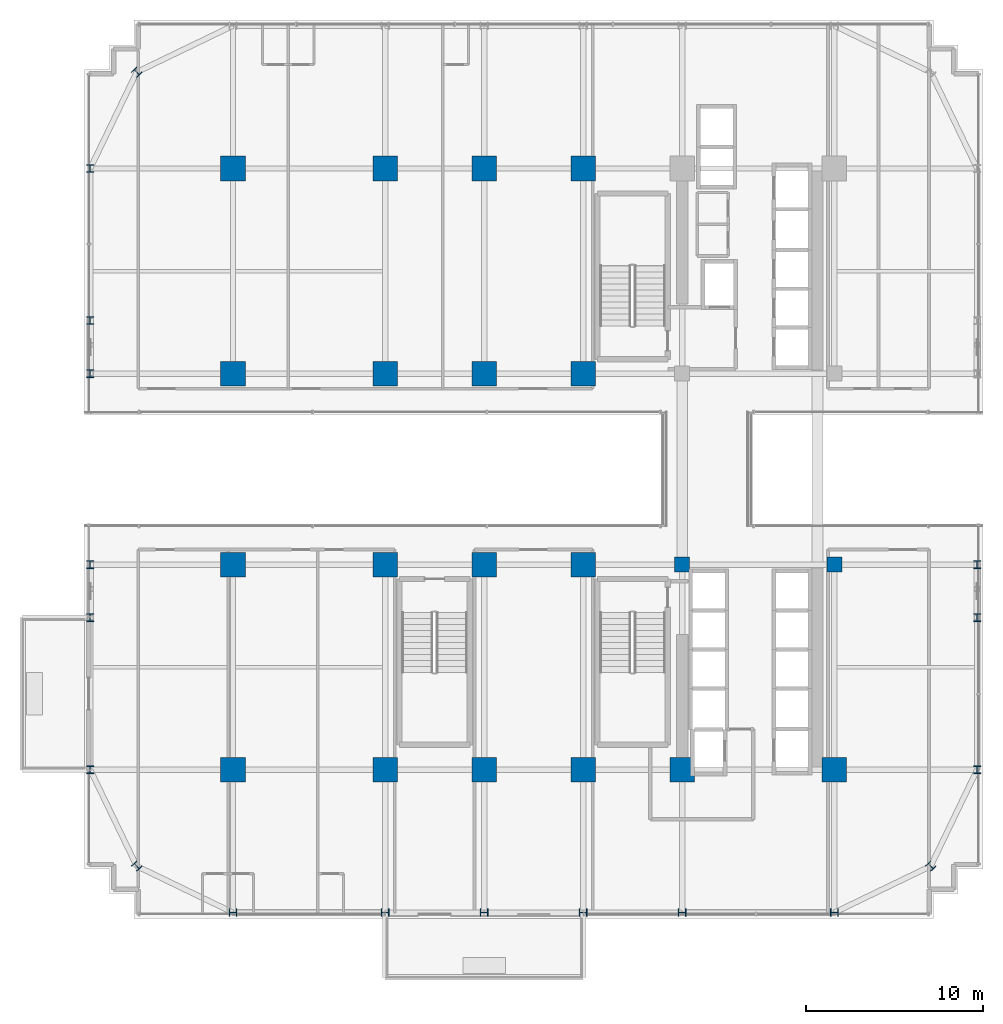
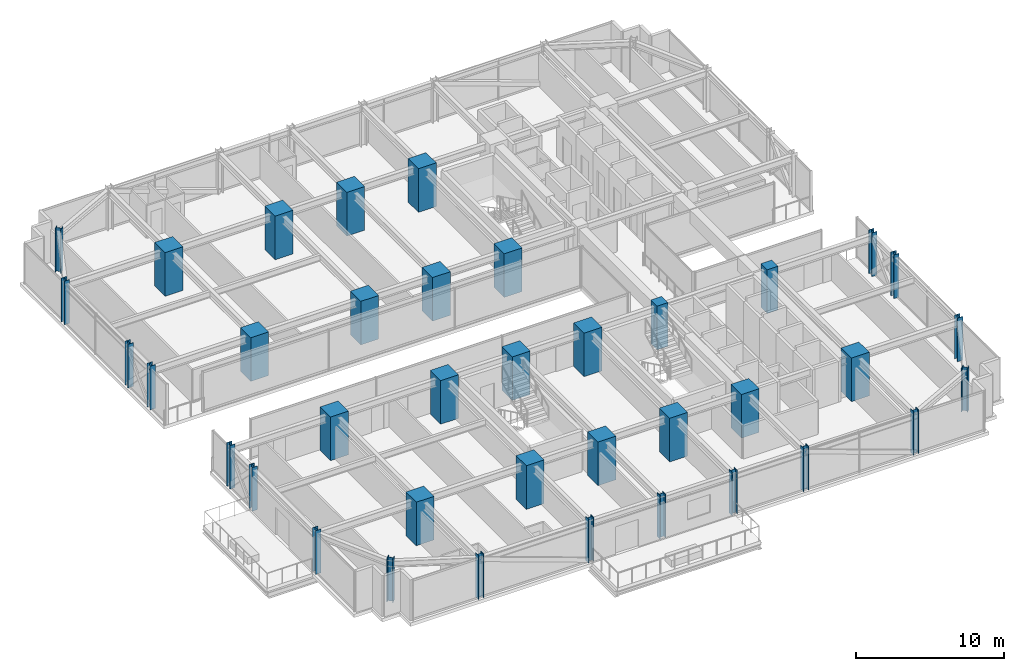
# One storey, part 1 of 38: 38 columns.
"""IFC4 building model written with IfcOpenShell, lengths in metres."""

from ifc_helpers import new_model, si_unit, direction, frame, origin, origin_2d, place, context, subcontext, project, spatial, rectangle, i_section, extrude, source, transform, mapped, material, material_profile, profile_set, type_object, element, save


model = new_model("IFC4")

# Units and contexts
model_context = context("Model", 3, precision=1e-05, world=origin(), true_north=direction((0.0, 1.0)))
body_context = subcontext(model_context, "Body", "Model", "MODEL_VIEW")
ifc_project = project(units=[si_unit("LENGTHUNIT", "METRE"), si_unit("AREAUNIT", "SQUARE_METRE"), si_unit("VOLUMEUNIT", "CUBIC_METRE"), si_unit("PLANEANGLEUNIT", "RADIAN"), si_unit("MASSUNIT", "GRAM", prefix="KILO")], contexts=[model_context])

# Site, building, storey
site_placement = place(None, origin())
site = spatial("IfcSite", under=ifc_project, at=site_placement, CompositionType="ELEMENT")
building_placement = place(site_placement, origin())
building = spatial("IfcBuilding", under=site, at=building_placement, Name="Nahalor Promenade Grand Hotel", CompositionType="ELEMENT")
storey_placement = place(building_placement, frame((0.0, 0.0, 50.64990234375)))
storey = spatial("IfcBuildingStorey", under=building, at=storey_placement, Name="L11", CompositionType="ELEMENT", Elevation=50.64990234375)

# Columns
ifc_material_1 = material(Name="Concrete B-70 (C60/75)", Category="concrete")
ifc_material_profile_1 = material_profile(ifc_material_1, rectangle(XDim=1.4, YDim=1.4, at=origin_2d()), Name="RC 1400x1400")
ifc_profile_set_1 = profile_set([ifc_material_profile_1], Name="Concrete B-70 (C60/75)")
column_type_1 = type_object("IfcColumnType", Name="Col-RC-1400", PredefinedType="COLUMN", material=ifc_profile_set_1)
shared_shape_1 = source(origin(), body_context, "Body", "SweptSolid", [
    extrude(rectangle(XDim=1.4, YDim=1.4, at=origin_2d()), origin(), (0.0, 0.0, 1.0), 3.60498046875),
])
for number, where, z_axis, x_axis, name in (
    (1, (-17.0, -17.0, 0.0), (0.0, 0.0, 1.0), (1.0, 0.0, 0.0), "COL-L11-I00"),
    (2, (-17.0, -5.39990234375, 0.0), (0.0, 0.0, 1.0), (1.0, 0.0, 0.0), "COL-L11-I01"),
    (3, (-17.0, 5.39990234375, 0.0), (0.0, 0.0, 1.0), (1.0, 0.0, 0.0), "COL-L11-I02"),
    (4, (-17.0, 17.0, 0.0), (0.0, 0.0, 1.0), (1.0, 0.0, 0.0), "COL-L11-I03"),
    (5, (-8.39990234375, -17.0, 0.0), (0.0, 0.0, 1.0), (1.0, 0.0, 0.0), "COL-L11-I10"),
    (6, (-8.39990234375, -5.39990234375, 0.0), (0.0, 0.0, 1.0), (1.0, 0.0, 0.0), "COL-L11-I11"),
    (7, (-8.39990234375, 5.39990234375, 0.0), (0.0, 0.0, 1.0), (1.0, 0.0, 0.0), "COL-L11-I12"),
    (8, (-8.39990234375, 17.0, 0.0), (0.0, 0.0, 1.0), (1.0, 0.0, 0.0), "COL-L11-I13"),
    (9, (-2.800048828125, -17.0, 0.0), (0.0, 0.0, 1.0), (1.0, 0.0, 0.0), "COL-L11-I20"),
    (10, (-2.800048828125, -5.39990234375, 0.0), (0.0, 0.0, 1.0), (1.0, 0.0, 0.0), "COL-L11-I21"),
    (11, (-2.800048828125, 5.39990234375, 0.0), (0.0, 0.0, 1.0), (1.0, 0.0, 0.0), "COL-L11-I22"),
    (12, (-2.800048828125, 17.0, 0.0), (0.0, 0.0, 1.0), (1.0, 0.0, 0.0), "COL-L11-I23"),
    (13, (2.800048828125, -17.0, 0.0), (0.0, 0.0, 1.0), (1.0, 0.0, 0.0), "COL-L11-I30"),
    (14, (2.800048828125, -5.39990234375, 0.0), (0.0, 0.0, 1.0), (1.0, 0.0, 0.0), "COL-L11-I31"),
    (15, (2.800048828125, 5.39990234375, 0.0), (0.0, 0.0, 1.0), (1.0, 0.0, 0.0), "COL-L11-I32"),
    (16, (2.800048828125, 17.0, 0.0), (0.0, 0.0, 1.0), (1.0, 0.0, 0.0), "COL-L11-I33"),
    (17, (8.39990234375, -17.0, 0.0), (0.0, 0.0, 1.0), (1.0, 0.0, 0.0), "COL-L11-I40"),
    (18, (17.0, -17.0, 0.0), (0.0, 0.0, 1.0), (1.0, 0.0, 0.0), "COL-L11-I50"),
):
    element("IfcColumn", number, at=place(storey_placement, frame(where, z_axis=z_axis, x_axis=x_axis)), inside=storey, type_object=column_type_1, Name=name, PredefinedType="COLUMN", context=body_context, shape_type="MappedRepresentation", body=[
        mapped(shared_shape_1, transform((0.0, 0.0, 0.0), scale=1.0)),
    ])
ifc_material_profile_2 = material_profile(ifc_material_1, rectangle(XDim=0.85, YDim=0.85, at=origin_2d()), Name="RC 850x850")
ifc_profile_set_2 = profile_set([ifc_material_profile_2], Name="Concrete B-70 (C60/75)")
column_type_2 = type_object("IfcColumnType", Name="Col-Pilaster-850", PredefinedType="PILASTER", material=ifc_profile_set_2)
shared_shape_2 = source(origin(), body_context, "Body", "SweptSolid", [
    extrude(rectangle(XDim=0.85, YDim=0.85, at=origin_2d()), origin(), (0.0, 0.0, 1.0), 3.60498046875),
])
for number, where, z_axis, x_axis, name in (
    (19, (8.39990234375, -5.39990234375, 0.0), (0.0, 0.0, 1.0), (1.0, 0.0, 0.0), "COL-L11-I41"),
    (20, (17.0, -5.39990234375, 0.0), (0.0, 0.0, 1.0), (1.0, 0.0, 0.0), "COL-L11-I51"),
):
    element("IfcColumn", number, at=place(storey_placement, frame(where, z_axis=z_axis, x_axis=x_axis)), inside=storey, type_object=column_type_2, Name=name, PredefinedType="PILASTER", context=body_context, shape_type="MappedRepresentation", body=[
        mapped(shared_shape_2, transform((0.0, 0.0, 0.0), scale=1.0)),
    ])
ifc_material_2 = material(Name="Steel S355J2", Category="steel")
ifc_material_profile_3 = material_profile(ifc_material_2, i_section(OverallWidth=0.412, OverallDepth=0.438, WebThickness=0.0226, FlangeThickness=0.0365, at=origin_2d()), Name="HD 400x463")
ifc_profile_set_3 = profile_set([ifc_material_profile_3], Name="Steel S355J2")
column_type_3 = type_object("IfcColumnType", Name="Col-Steel-HD463", PredefinedType="COLUMN", material=ifc_profile_set_3)
shared_shape_3 = source(origin(), body_context, "Body", "SweptSolid", [
    extrude(i_section(OverallWidth=0.412, OverallDepth=0.438, WebThickness=0.0226, FlangeThickness=0.0365, at=origin_2d()), origin(), (0.0, 0.0, 1.0), 3.60498046875),
])
for number, where, z_axis, x_axis, name in (
    (21, (-25.080078125, -17.0, 0.0), (0.0, 0.0, 1.0), (1.0, 0.0, 0.0), "COL-L11-PW-W0"),
    (22, (25.080078125, -17.0, 0.0), (0.0, 0.0, 1.0), (1.0, 0.0, 0.0), "COL-L11-PW-E0"),
    (23, (-25.080078125, -8.39990234375, 0.0), (0.0, 0.0, 1.0), (1.0, 0.0, 0.0), "COL-L11-PW-W1"),
    (24, (25.080078125, -8.39990234375, 0.0), (0.0, 0.0, 1.0), (1.0, 0.0, 0.0), "COL-L11-PW-E1"),
    (25, (-25.080078125, -5.39990234375, 0.0), (0.0, 0.0, 1.0), (1.0, 0.0, 0.0), "COL-L11-PW-W2"),
    (26, (25.080078125, -5.39990234375, 0.0), (0.0, 0.0, 1.0), (1.0, 0.0, 0.0), "COL-L11-PW-E2"),
    (27, (-25.080078125, 5.39990234375, 0.0), (0.0, 0.0, 1.0), (1.0, 0.0, 0.0), "COL-L11-PW-W3"),
    (28, (-25.080078125, 8.39990234375, 0.0), (0.0, 0.0, 1.0), (1.0, 0.0, 0.0), "COL-L11-PW-W4"),
    (29, (-25.080078125, 17.0, 0.0), (0.0, 0.0, 1.0), (1.0, 0.0, 0.0), "COL-L11-PW-W5"),
    (30, (-17.0, -25.080078125, 0.0), (0.0, 0.0, 1.0), (0.0, 1.0, 0.0), "COL-L11-PN-S0"),
    (31, (-8.39990234375, -25.080078125, 0.0), (0.0, 0.0, 1.0), (0.0, 1.0, 0.0), "COL-L11-PN-S1"),
    (32, (-2.800048828125, -25.080078125, 0.0), (0.0, 0.0, 1.0), (0.0, 1.0, 0.0), "COL-L11-PN-S2"),
    (33, (2.800048828125, -25.080078125, 0.0), (0.0, 0.0, 1.0), (0.0, 1.0, 0.0), "COL-L11-PN-S3"),
    (34, (8.39990234375, -25.080078125, 0.0), (0.0, 0.0, 1.0), (0.0, 1.0, 0.0), "COL-L11-PN-S4"),
    (35, (17.0, -25.080078125, 0.0), (0.0, 0.0, 1.0), (0.0, 1.0, 0.0), "COL-L11-PN-S5"),
    (36, (-22.449951171875, -22.449951171875, 0.0), (0.0, 0.0, 1.0), (0.707106781187, 0.707106781187, 0.0), "COL-L11-CRN-SW"),
    (37, (-22.449951171875, 22.449951171875, 0.0), (0.0, 0.0, 1.0), (0.707106781187, 0.707106781187, 0.0), "COL-L11-CRN-NW"),
    (38, (22.449951171875, -22.449951171875, 0.0), (0.0, 0.0, 1.0), (0.707106781187, 0.707106781187, 0.0), "COL-L11-CRN-SE"),
):
    element("IfcColumn", number, at=place(storey_placement, frame(where, z_axis=z_axis, x_axis=x_axis)), inside=storey, type_object=column_type_3, Name=name, PredefinedType="COLUMN", context=body_context, shape_type="MappedRepresentation", body=[
        mapped(shared_shape_3, transform((0.0, 0.0, 0.0), scale=1.0)),
    ])

save(model, "model.ifc")
